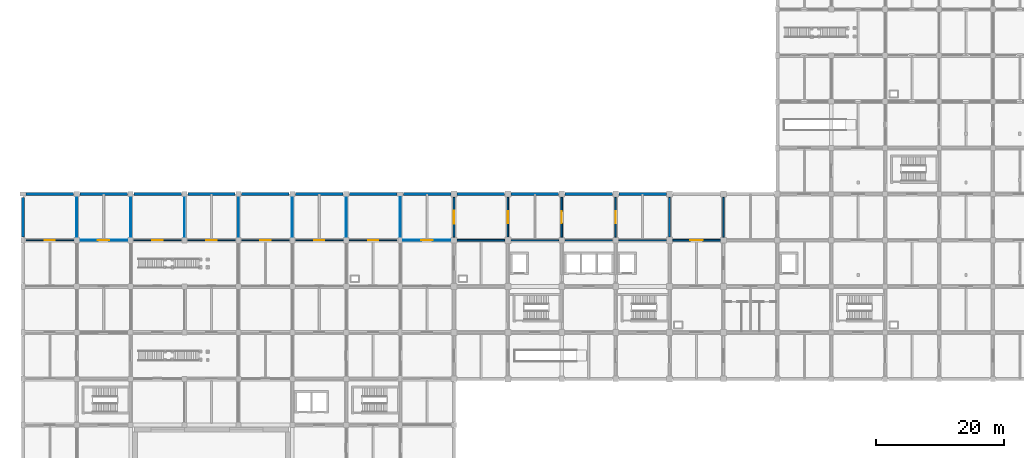
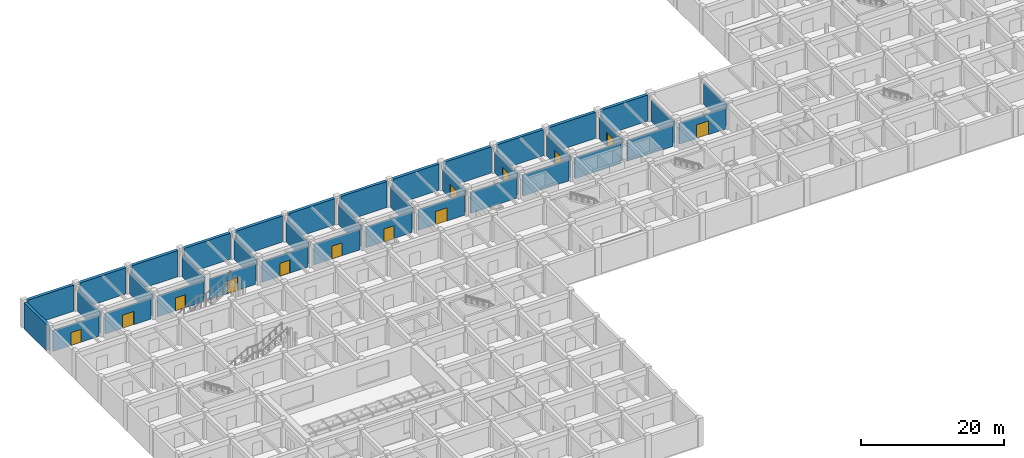
# One storey, part 24 of 32: 39 walls, 13 doors, 13 openings.
"""IFC4 building model written with IfcOpenShell, lengths in metres."""

from ifc_helpers import new_model, si_unit, derived_unit, direction, frame, frame_2d, origin, place, context, subcontext, project, spatial, rectangle, extrude, material, layer, layer_set, type_object, element, fill, save


model = new_model("IFC4")

# Units and contexts
model_context = context("Model", 3, precision=1e-05, world=origin(), true_north=direction((0.0, 1.0)))
body_context = subcontext(model_context, "Body", "Model", "MODEL_VIEW")
ifc_project = project(units=[si_unit("LENGTHUNIT", "METRE"), si_unit("AREAUNIT", "SQUARE_METRE"), si_unit("VOLUMEUNIT", "CUBIC_METRE"), si_unit("PLANEANGLEUNIT", "RADIAN"), si_unit("MASSUNIT", "GRAM", prefix="KILO"), derived_unit("THERMALTRANSMITTANCEUNIT", [(si_unit("MASSUNIT", "GRAM", prefix="KILO"), 1), (si_unit("TIMEUNIT", "SECOND"), -3), (si_unit("THERMODYNAMICTEMPERATUREUNIT", "KELVIN"), -1)])], contexts=[model_context])

# Site, building, storey
site_placement = place(None, origin())
site = spatial("IfcSite", under=ifc_project, at=site_placement, CompositionType="ELEMENT")
building_placement = place(site_placement, origin())
building = spatial("IfcBuilding", under=site, at=building_placement, Name="Veldstrom Oceanarium and Marine Research Institute", CompositionType="ELEMENT")
storey_placement = place(building_placement, frame((0.0, 0.0, -4.800048828125)))
storey = spatial("IfcBuildingStorey", under=building, at=storey_placement, Name="B01", CompositionType="ELEMENT", Elevation=-4.800048828125)

# Wall, opening, door
ifc_material_1 = material(Name="Masonry Fire Compartment Wall", Category="masonry")
ifc_layer_1 = layer(ifc_material_1, 0.22998046875)
ifc_layer_set_1 = layer_set([ifc_layer_1], Name="ARC-WAL-PT1")
wall_type_1 = type_object("IfcWallType", Name="ARC-WAL-PT1", PredefinedType="PARTITIONING", material=ifc_layer_set_1)
wall_1_placement = place(storey_placement, frame((75.60009765625, 65.300048828125, 0.0), z_axis=(0.0, 0.0, 1.0), x_axis=(0.0, 1.0, 0.0)))
wall_1 = element("IfcWall", 1, at=wall_1_placement, inside=storey, type_object=wall_type_1, Name="Interior Partition PT1 B01-0430", PredefinedType="PARTITIONING", context=body_context, shape_type="SweptSolid", body=[
    extrude(rectangle(XDim=6.199951171875, YDim=0.22998046875, at=frame_2d((3.10009765625, 0.0))), origin(), (0.0, 0.0, 1.0), 3.64501953125),
])
opening_1_placement = place(wall_1_placement, frame((2.14990234375, 0.0, 0.0)))
opening_1 = element("IfcOpeningElement", 2, at=opening_1_placement, cuts=wall_1, Name="Opening D-B01-250", PredefinedType="OPENING", context=body_context, shape_type="SweptSolid", body=[
    extrude(rectangle(XDim=1.89990234375, YDim=2.300048828125, at=frame_2d((0.949951171875, 1.14990234375))), frame((0.0, 0.125, 0.0), z_axis=(0.0, -1.0, 0.0), x_axis=(1.0, 0.0, 0.0)), (0.0, 0.0, 1.0), 0.25),
])
ifc_material_2 = material(Name="Plant Hall Equipment Door", Category="steel")
door_type_1 = type_object("IfcDoorType", Name="ARC-DOR-ID12", OperationType="DOUBLE_DOOR_SINGLE_SWING", PredefinedType="DOOR", material=ifc_material_2)
door_1_placement = place(opening_1_placement, frame((1.89990234375, 0.0, 0.0), z_axis=(0.0, 0.0, 1.0), x_axis=(-1.0, 0.0, 0.0)))
door_1 = element("IfcDoor", 3, at=door_1_placement, inside=storey, type_object=door_type_1, Name="Interior Door D-B01-250", OperationType="DOUBLE_DOOR_SINGLE_SWING", OverallHeight=2.300048828125, OverallWidth=1.89990234375, PredefinedType="DOOR", context=body_context, shape_type="SweptSolid", body=[
    extrude(rectangle(XDim=1.89990234375, YDim=2.300048828125, at=frame_2d((0.949951171875, 1.14990234375))), frame((0.0, 0.02490234375, 0.0), z_axis=(0.0, -1.0, 0.0), x_axis=(1.0, 0.0, 0.0)), (0.0, 0.0, 1.0), 0.050048828125),
])
fill(opening_1, door_1)

# Walls
for number, where, z_axis, x_axis, name in (
    (4, (76.10009765625, 64.800048828125, 0.0), (0.0, 0.0, 1.0), (1.0, 0.0, 0.0), "Interior Partition PT1 B01-0435"),
    (5, (84.5, 64.800048828125, 0.0), (0.0, 0.0, 1.0), (1.0, 0.0, 0.0), "Interior Partition PT1 B01-0442"),
):
    element("IfcWall", number, at=place(storey_placement, frame(where, z_axis=z_axis, x_axis=x_axis)), inside=storey, type_object=wall_type_1, Name=name, PredefinedType="PARTITIONING", context=body_context, shape_type="SweptSolid", body=[
        extrude(rectangle(XDim=7.39990234375, YDim=0.22998046875, at=frame_2d((3.699951171875, 0.0))), origin(), (0.0, 0.0, 1.0), 3.545166015625),
    ])

# Wall, opening, door
wall_2_placement = place(storey_placement, frame((92.39990234375, 65.300048828125, 0.0), z_axis=(0.0, 0.0, 1.0), x_axis=(0.0, 1.0, 0.0)))
wall_2 = element("IfcWall", 6, at=wall_2_placement, inside=storey, type_object=wall_type_1, Name="Interior Partition PT1 B01-0443", PredefinedType="PARTITIONING", context=body_context, shape_type="SweptSolid", body=[
    extrude(rectangle(XDim=6.199951171875, YDim=0.22998046875, at=frame_2d((3.10009765625, 0.0))), origin(), (0.0, 0.0, 1.0), 3.64501953125),
])
opening_2_placement = place(wall_2_placement, frame((2.14990234375, 0.0, 0.0)))
opening_2 = element("IfcOpeningElement", 7, at=opening_2_placement, cuts=wall_2, Name="Opening D-B01-260", PredefinedType="OPENING", context=body_context, shape_type="SweptSolid", body=[
    extrude(rectangle(XDim=1.89990234375, YDim=2.300048828125, at=frame_2d((0.949951171875, 1.14990234375))), frame((0.0, 0.125, 0.0), z_axis=(0.0, -1.0, 0.0), x_axis=(1.0, 0.0, 0.0)), (0.0, 0.0, 1.0), 0.25),
])
door_2_placement = place(opening_2_placement, frame((1.89990234375, 0.0, 0.0), z_axis=(0.0, 0.0, 1.0), x_axis=(-1.0, 0.0, 0.0)))
door_2 = element("IfcDoor", 8, at=door_2_placement, inside=storey, type_object=door_type_1, Name="Interior Door D-B01-260", OperationType="DOUBLE_DOOR_SINGLE_SWING", OverallHeight=2.300048828125, OverallWidth=1.89990234375, PredefinedType="DOOR", context=body_context, shape_type="SweptSolid", body=[
    extrude(rectangle(XDim=1.89990234375, YDim=2.300048828125, at=frame_2d((0.949951171875, 1.14990234375))), frame((0.0, 0.02490234375, 0.0), z_axis=(0.0, -1.0, 0.0), x_axis=(1.0, 0.0, 0.0)), (0.0, 0.0, 1.0), 0.050048828125),
])
fill(opening_2, door_2)

# Walls
wall_3_placement = place(storey_placement, frame((92.89990234375, 64.800048828125, 0.0), z_axis=(0.0, 0.0, 1.0), x_axis=(1.0, 0.0, 0.0)))
element("IfcWall", 9, at=wall_3_placement, inside=storey, type_object=wall_type_1, Name="Interior Partition PT1 B01-0449", PredefinedType="PARTITIONING", context=body_context, shape_type="SweptSolid", body=[
    extrude(rectangle(XDim=7.400146484375, YDim=0.22998046875, at=frame_2d((3.7001953125, 0.0))), origin(), (0.0, 0.0, 1.0), 3.545166015625),
])
wall_4_placement = place(storey_placement, frame((109.199951171875, 65.300048828125, 0.0), z_axis=(0.0, 0.0, 1.0), x_axis=(0.0, 1.0, 0.0)))
element("IfcWall", 10, at=wall_4_placement, inside=storey, type_object=wall_type_1, Name="Interior Partition PT1 B01-0457", PredefinedType="PARTITIONING", context=body_context, shape_type="SweptSolid", body=[
    extrude(rectangle(XDim=6.199951171875, YDim=0.22998046875, at=frame_2d((3.10009765625, 0.0))), origin(), (0.0, 0.0, 1.0), 3.64501953125),
])

# Wall, opening, door
ifc_material_3 = material(Name="Drywall Corridor Partition", Category="gypsum")
ifc_layer_2 = layer(ifc_material_3, 0.155029296875)
ifc_layer_set_2 = layer_set([ifc_layer_2], Name="ARC-WAL-PT4")
wall_type_2 = type_object("IfcWallType", Name="ARC-WAL-PT4", PredefinedType="PARTITIONING", material=ifc_layer_set_2)
wall_5_placement = place(storey_placement, frame((0.5, 64.800048828125, 0.0), z_axis=(0.0, 0.0, 1.0), x_axis=(1.0, 0.0, 0.0)))
wall_5 = element("IfcWall", 11, at=wall_5_placement, inside=storey, type_object=wall_type_2, Name="Interior Partition PT4 B01-0315", PredefinedType="PARTITIONING", context=body_context, shape_type="SweptSolid", body=[
    extrude(rectangle(XDim=7.39990234375, YDim=0.155029296875, at=frame_2d((3.699951171875, 0.0))), origin(), (0.0, 0.0, 1.0), 3.545166015625),
])
opening_3_placement = place(wall_5_placement, frame((2.89990234375, 0.0, 0.0)))
opening_3 = element("IfcOpeningElement", 12, at=opening_3_placement, cuts=wall_5, Name="Opening D-B01-185", PredefinedType="OPENING", context=body_context, shape_type="SweptSolid", body=[
    extrude(rectangle(XDim=1.60009765625, YDim=2.199951171875, at=frame_2d((0.800048828125, 1.10009765625))), frame((0.0, 0.08740234375, 0.0), z_axis=(0.0, -1.0, 0.0), x_axis=(1.0, 0.0, 0.0)), (0.0, 0.0, 1.0), 0.175048828125),
])
ifc_material_4 = material(Name="Acoustic Timber Corridor Door", Category="wood")
door_type_2 = type_object("IfcDoorType", Name="ARC-DOR-ID02", OperationType="DOUBLE_DOOR_SINGLE_SWING", PredefinedType="DOOR", material=ifc_material_4)
door_3_placement = place(opening_3_placement, frame((1.60009765625, 0.0, 0.0), z_axis=(0.0, 0.0, 1.0), x_axis=(-1.0, 0.0, 0.0)))
door_3 = element("IfcDoor", 13, at=door_3_placement, inside=storey, type_object=door_type_2, Name="Interior Door D-B01-185", OperationType="DOUBLE_DOOR_SINGLE_SWING", OverallHeight=2.199951171875, OverallWidth=1.60009765625, PredefinedType="DOOR", context=body_context, shape_type="SweptSolid", body=[
    extrude(rectangle(XDim=1.60009765625, YDim=2.199951171875, at=frame_2d((0.800048828125, 1.10009765625))), frame((0.0, 0.02490234375, 0.0), z_axis=(0.0, -1.0, 0.0), x_axis=(1.0, 0.0, 0.0)), (0.0, 0.0, 1.0), 0.050048828125),
])
fill(opening_3, door_3)

wall_6_placement = place(storey_placement, frame((17.300048828125, 64.800048828125, 0.0), z_axis=(0.0, 0.0, 1.0), x_axis=(1.0, 0.0, 0.0)))
wall_6 = element("IfcWall", 14, at=wall_6_placement, inside=storey, type_object=wall_type_2, Name="Interior Partition PT4 B01-0343", PredefinedType="PARTITIONING", context=body_context, shape_type="SweptSolid", body=[
    extrude(rectangle(XDim=7.39990234375, YDim=0.155029296875, at=frame_2d((3.699951171875, 0.0))), origin(), (0.0, 0.0, 1.0), 3.545166015625),
])
opening_4_placement = place(wall_6_placement, frame((2.89990234375, 0.0, 0.0)))
opening_4 = element("IfcOpeningElement", 15, at=opening_4_placement, cuts=wall_6, Name="Opening D-B01-201", PredefinedType="OPENING", context=body_context, shape_type="SweptSolid", body=[
    extrude(rectangle(XDim=1.60009765625, YDim=2.199951171875, at=frame_2d((0.800048828125, 1.10009765625))), frame((0.0, 0.08740234375, 0.0), z_axis=(0.0, -1.0, 0.0), x_axis=(1.0, 0.0, 0.0)), (0.0, 0.0, 1.0), 0.175048828125),
])
door_4_placement = place(opening_4_placement, frame((1.60009765625, 0.0, 0.0), z_axis=(0.0, 0.0, 1.0), x_axis=(-1.0, 0.0, 0.0)))
door_4 = element("IfcDoor", 16, at=door_4_placement, inside=storey, type_object=door_type_2, Name="Interior Door D-B01-201", OperationType="DOUBLE_DOOR_SINGLE_SWING", OverallHeight=2.199951171875, OverallWidth=1.60009765625, PredefinedType="DOOR", context=body_context, shape_type="SweptSolid", body=[
    extrude(rectangle(XDim=1.60009765625, YDim=2.199951171875, at=frame_2d((0.800048828125, 1.10009765625))), frame((0.0, 0.02490234375, 0.0), z_axis=(0.0, -1.0, 0.0), x_axis=(1.0, 0.0, 0.0)), (0.0, 0.0, 1.0), 0.050048828125),
])
fill(opening_4, door_4)

wall_7_placement = place(storey_placement, frame((34.10009765625, 64.800048828125, 0.0), z_axis=(0.0, 0.0, 1.0), x_axis=(1.0, 0.0, 0.0)))
wall_7 = element("IfcWall", 17, at=wall_7_placement, inside=storey, type_object=wall_type_2, Name="Interior Partition PT4 B01-0371", PredefinedType="PARTITIONING", context=body_context, shape_type="SweptSolid", body=[
    extrude(rectangle(XDim=7.39990234375, YDim=0.155029296875, at=frame_2d((3.699951171875, 0.0))), origin(), (0.0, 0.0, 1.0), 3.545166015625),
])
opening_5_placement = place(wall_7_placement, frame((2.89990234375, 0.0, 0.0)))
opening_5 = element("IfcOpeningElement", 18, at=opening_5_placement, cuts=wall_7, Name="Opening D-B01-215", PredefinedType="OPENING", context=body_context, shape_type="SweptSolid", body=[
    extrude(rectangle(XDim=1.60009765625, YDim=2.199951171875, at=frame_2d((0.800048828125, 1.10009765625))), frame((0.0, 0.08740234375, 0.0), z_axis=(0.0, -1.0, 0.0), x_axis=(1.0, 0.0, 0.0)), (0.0, 0.0, 1.0), 0.175048828125),
])
door_5_placement = place(opening_5_placement, frame((1.60009765625, 0.0, 0.0), z_axis=(0.0, 0.0, 1.0), x_axis=(-1.0, 0.0, 0.0)))
door_5 = element("IfcDoor", 19, at=door_5_placement, inside=storey, type_object=door_type_2, Name="Interior Door D-B01-215", OperationType="DOUBLE_DOOR_SINGLE_SWING", OverallHeight=2.199951171875, OverallWidth=1.60009765625, PredefinedType="DOOR", context=body_context, shape_type="SweptSolid", body=[
    extrude(rectangle(XDim=1.60009765625, YDim=2.199951171875, at=frame_2d((0.800048828125, 1.10009765625))), frame((0.0, 0.02490234375, 0.0), z_axis=(0.0, -1.0, 0.0), x_axis=(1.0, 0.0, 0.0)), (0.0, 0.0, 1.0), 0.050048828125),
])
fill(opening_5, door_5)

wall_8_placement = place(storey_placement, frame((50.89990234375, 64.800048828125, 0.0), z_axis=(0.0, 0.0, 1.0), x_axis=(1.0, 0.0, 0.0)))
wall_8 = element("IfcWall", 20, at=wall_8_placement, inside=storey, type_object=wall_type_2, Name="Interior Partition PT4 B01-0409", PredefinedType="PARTITIONING", context=body_context, shape_type="SweptSolid", body=[
    extrude(rectangle(XDim=7.400146484375, YDim=0.155029296875, at=frame_2d((3.7001953125, 0.0))), origin(), (0.0, 0.0, 1.0), 3.545166015625),
])
opening_6_placement = place(wall_8_placement, frame((2.89990234375, 0.0, 0.0)))
opening_6 = element("IfcOpeningElement", 21, at=opening_6_placement, cuts=wall_8, Name="Opening D-B01-235", PredefinedType="OPENING", context=body_context, shape_type="SweptSolid", body=[
    extrude(rectangle(XDim=1.60009765625, YDim=2.199951171875, at=frame_2d((0.800048828125, 1.10009765625))), frame((0.0, 0.08740234375, 0.0), z_axis=(0.0, -1.0, 0.0), x_axis=(1.0, 0.0, 0.0)), (0.0, 0.0, 1.0), 0.175048828125),
])
door_6_placement = place(opening_6_placement, frame((1.60009765625, 0.0, 0.0), z_axis=(0.0, 0.0, 1.0), x_axis=(-1.0, 0.0, 0.0)))
door_6 = element("IfcDoor", 22, at=door_6_placement, inside=storey, type_object=door_type_2, Name="Interior Door D-B01-235", OperationType="DOUBLE_DOOR_SINGLE_SWING", OverallHeight=2.199951171875, OverallWidth=1.60009765625, PredefinedType="DOOR", context=body_context, shape_type="SweptSolid", body=[
    extrude(rectangle(XDim=1.60009765625, YDim=2.199951171875, at=frame_2d((0.800048828125, 1.10009765625))), frame((0.0, 0.02490234375, 0.0), z_axis=(0.0, -1.0, 0.0), x_axis=(1.0, 0.0, 0.0)), (0.0, 0.0, 1.0), 0.050048828125),
])
fill(opening_6, door_6)

ifc_material_5 = material(Name="Moisture-Resistant Wet-Area Partition", Category="masonry")
ifc_layer_3 = layer(ifc_material_5, 0.139892578125)
ifc_layer_set_3 = layer_set([ifc_layer_3], Name="ARC-WAL-PT5")
wall_type_3 = type_object("IfcWallType", Name="ARC-WAL-PT5", PredefinedType="PARTITIONING", material=ifc_layer_set_3)
wall_9_placement = place(storey_placement, frame((8.89990234375, 64.800048828125, 0.0), z_axis=(0.0, 0.0, 1.0), x_axis=(1.0, 0.0, 0.0)))
wall_9 = element("IfcWall", 23, at=wall_9_placement, inside=storey, type_object=wall_type_3, Name="Interior Partition PT5 B01-0331", PredefinedType="PARTITIONING", context=body_context, shape_type="SweptSolid", body=[
    extrude(rectangle(XDim=7.400146484375, YDim=0.139892578125, at=frame_2d((3.7001953125, 0.0))), origin(), (0.0, 0.0, 1.0), 3.545166015625),
])
opening_7_placement = place(wall_9_placement, frame((2.800048828125, 0.0, 0.0)))
opening_7 = element("IfcOpeningElement", 24, at=opening_7_placement, cuts=wall_9, Name="Opening D-B01-194", PredefinedType="OPENING", context=body_context, shape_type="SweptSolid", body=[
    extrude(rectangle(XDim=1.800048828125, YDim=2.25, at=frame_2d((0.89990234375, 1.125))), frame((0.0, 0.079833984375, 0.0), z_axis=(0.0, -1.0, 0.0), x_axis=(1.0, 0.0, 0.0)), (0.0, 0.0, 1.0), 0.159912109375),
])
ifc_material_6 = material(Name="Acoustic Timber Gallery Door", Category="wood")
door_type_3 = type_object("IfcDoorType", Name="ARC-DOR-ID01", OperationType="DOUBLE_DOOR_SINGLE_SWING", PredefinedType="DOOR", material=ifc_material_6)
door_7_placement = place(opening_7_placement, origin())
door_7 = element("IfcDoor", 25, at=door_7_placement, inside=storey, type_object=door_type_3, Name="Interior Door D-B01-194", OperationType="DOUBLE_DOOR_SINGLE_SWING", OverallHeight=2.25, OverallWidth=1.800048828125, PredefinedType="DOOR", context=body_context, shape_type="SweptSolid", body=[
    extrude(rectangle(XDim=1.800048828125, YDim=2.25, at=frame_2d((0.89990234375, 1.125))), frame((0.0, 0.02490234375, 0.0), z_axis=(0.0, -1.0, 0.0), x_axis=(1.0, 0.0, 0.0)), (0.0, 0.0, 1.0), 0.050048828125),
])
fill(opening_7, door_7)

wall_10_placement = place(storey_placement, frame((25.699951171875, 64.800048828125, 0.0), z_axis=(0.0, 0.0, 1.0), x_axis=(1.0, 0.0, 0.0)))
wall_10 = element("IfcWall", 26, at=wall_10_placement, inside=storey, type_object=wall_type_3, Name="Interior Partition PT5 B01-0357", PredefinedType="PARTITIONING", context=body_context, shape_type="SweptSolid", body=[
    extrude(rectangle(XDim=7.400146484375, YDim=0.139892578125, at=frame_2d((3.7001953125, 0.0))), origin(), (0.0, 0.0, 1.0), 3.545166015625),
])
opening_8_placement = place(wall_10_placement, frame((2.89990234375, 0.0, 0.0)))
opening_8 = element("IfcOpeningElement", 27, at=opening_8_placement, cuts=wall_10, Name="Opening D-B01-209", PredefinedType="OPENING", context=body_context, shape_type="SweptSolid", body=[
    extrude(rectangle(XDim=1.60009765625, YDim=2.199951171875, at=frame_2d((0.800048828125, 1.10009765625))), frame((0.0, 0.079833984375, 0.0), z_axis=(0.0, -1.0, 0.0), x_axis=(1.0, 0.0, 0.0)), (0.0, 0.0, 1.0), 0.159912109375),
])
door_8_placement = place(opening_8_placement, origin())
door_8 = element("IfcDoor", 28, at=door_8_placement, inside=storey, type_object=door_type_2, Name="Interior Door D-B01-209", OperationType="DOUBLE_DOOR_SINGLE_SWING", OverallHeight=2.199951171875, OverallWidth=1.60009765625, PredefinedType="DOOR", context=body_context, shape_type="SweptSolid", body=[
    extrude(rectangle(XDim=1.60009765625, YDim=2.199951171875, at=frame_2d((0.800048828125, 1.10009765625))), frame((0.0, 0.02490234375, 0.0), z_axis=(0.0, -1.0, 0.0), x_axis=(1.0, 0.0, 0.0)), (0.0, 0.0, 1.0), 0.050048828125),
])
fill(opening_8, door_8)

wall_11_placement = place(storey_placement, frame((42.5, 64.800048828125, 0.0), z_axis=(0.0, 0.0, 1.0), x_axis=(1.0, 0.0, 0.0)))
wall_11 = element("IfcWall", 29, at=wall_11_placement, inside=storey, type_object=wall_type_3, Name="Interior Partition PT5 B01-0390", PredefinedType="PARTITIONING", context=body_context, shape_type="SweptSolid", body=[
    extrude(rectangle(XDim=7.39990234375, YDim=0.139892578125, at=frame_2d((3.699951171875, 0.0))), origin(), (0.0, 0.0, 1.0), 3.545166015625),
])
opening_9_placement = place(wall_11_placement, frame((2.89990234375, 0.0, 0.0)))
opening_9 = element("IfcOpeningElement", 30, at=opening_9_placement, cuts=wall_11, Name="Opening D-B01-225", PredefinedType="OPENING", context=body_context, shape_type="SweptSolid", body=[
    extrude(rectangle(XDim=1.60009765625, YDim=2.199951171875, at=frame_2d((0.800048828125, 1.10009765625))), frame((0.0, 0.079833984375, 0.0), z_axis=(0.0, -1.0, 0.0), x_axis=(1.0, 0.0, 0.0)), (0.0, 0.0, 1.0), 0.159912109375),
])
door_9_placement = place(opening_9_placement, origin())
door_9 = element("IfcDoor", 31, at=door_9_placement, inside=storey, type_object=door_type_2, Name="Interior Door D-B01-225", OperationType="DOUBLE_DOOR_SINGLE_SWING", OverallHeight=2.199951171875, OverallWidth=1.60009765625, PredefinedType="DOOR", context=body_context, shape_type="SweptSolid", body=[
    extrude(rectangle(XDim=1.60009765625, YDim=2.199951171875, at=frame_2d((0.800048828125, 1.10009765625))), frame((0.0, 0.02490234375, 0.0), z_axis=(0.0, -1.0, 0.0), x_axis=(1.0, 0.0, 0.0)), (0.0, 0.0, 1.0), 0.050048828125),
])
fill(opening_9, door_9)

wall_12_placement = place(storey_placement, frame((59.300048828125, 64.800048828125, 0.0), z_axis=(0.0, 0.0, 1.0), x_axis=(1.0, 0.0, 0.0)))
wall_12 = element("IfcWall", 32, at=wall_12_placement, inside=storey, type_object=wall_type_3, Name="Interior Partition PT5 B01-0422", PredefinedType="PARTITIONING", context=body_context, shape_type="SweptSolid", body=[
    extrude(rectangle(XDim=7.39990234375, YDim=0.139892578125, at=frame_2d((3.699951171875, 0.0))), origin(), (0.0, 0.0, 1.0), 3.545166015625),
])
opening_10_placement = place(wall_12_placement, frame((2.800048828125, 0.0, 0.0)))
opening_10 = element("IfcOpeningElement", 33, at=opening_10_placement, cuts=wall_12, Name="Opening D-B01-246", PredefinedType="OPENING", context=body_context, shape_type="SweptSolid", body=[
    extrude(rectangle(XDim=1.800048828125, YDim=2.25, at=frame_2d((0.89990234375, 1.125))), frame((0.0, 0.079833984375, 0.0), z_axis=(0.0, -1.0, 0.0), x_axis=(1.0, 0.0, 0.0)), (0.0, 0.0, 1.0), 0.159912109375),
])
door_10_placement = place(opening_10_placement, origin())
door_10 = element("IfcDoor", 34, at=door_10_placement, inside=storey, type_object=door_type_3, Name="Interior Door D-B01-246", OperationType="DOUBLE_DOOR_SINGLE_SWING", OverallHeight=2.25, OverallWidth=1.800048828125, PredefinedType="DOOR", context=body_context, shape_type="SweptSolid", body=[
    extrude(rectangle(XDim=1.800048828125, YDim=2.25, at=frame_2d((0.89990234375, 1.125))), frame((0.0, 0.02490234375, 0.0), z_axis=(0.0, -1.0, 0.0), x_axis=(1.0, 0.0, 0.0)), (0.0, 0.0, 1.0), 0.050048828125),
])
fill(opening_10, door_10)

# Walls
ifc_material_7 = material(Name="Lightweight Studio Partition", Category="gypsum")
ifc_layer_4 = layer(ifc_material_7, 0.1201171875)
ifc_layer_set_4 = layer_set([ifc_layer_4], Name="ARC-WAL-PT6")
wall_type_4 = type_object("IfcWallType", Name="ARC-WAL-PT6", PredefinedType="PARTITIONING", material=ifc_layer_set_4)
for number, where, z_axis, x_axis, name in (
    (35, (8.39990234375, 65.300048828125, 0.0), (0.0, 0.0, 1.0), (0.0, 1.0, 0.0), "Interior Partition PT6 B01-0316"),
    (36, (16.800048828125, 65.300048828125, 0.0), (0.0, 0.0, 1.0), (0.0, 1.0, 0.0), "Interior Partition PT6 B01-0332"),
    (37, (25.199951171875, 65.300048828125, 0.0), (0.0, 0.0, 1.0), (0.0, 1.0, 0.0), "Interior Partition PT6 B01-0344"),
    (38, (33.60009765625, 65.300048828125, 0.0), (0.0, 0.0, 1.0), (0.0, 1.0, 0.0), "Interior Partition PT6 B01-0358"),
    (39, (42.0, 65.300048828125, 0.0), (0.0, 0.0, 1.0), (0.0, 1.0, 0.0), "Interior Partition PT6 B01-0372"),
    (40, (50.39990234375, 65.300048828125, 0.0), (0.0, 0.0, 1.0), (0.0, 1.0, 0.0), "Interior Partition PT6 B01-0391"),
    (41, (58.800048828125, 65.300048828125, 0.0), (0.0, 0.0, 1.0), (0.0, 1.0, 0.0), "Interior Partition PT6 B01-0410"),
):
    element("IfcWall", number, at=place(storey_placement, frame(where, z_axis=z_axis, x_axis=x_axis)), inside=storey, type_object=wall_type_4, Name=name, PredefinedType="PARTITIONING", context=body_context, shape_type="SweptSolid", body=[
        extrude(rectangle(XDim=6.199951171875, YDim=0.1201171875, at=frame_2d((3.10009765625, 0.0))), origin(), (0.0, 0.0, 1.0), 3.64501953125),
    ])

# Wall, opening, door
ifc_material_8 = material(Name="Plant Acoustic Masonry Wall", Category="masonry")
ifc_layer_5 = layer(ifc_material_8, 0.260009765625)
ifc_layer_set_5 = layer_set([ifc_layer_5], Name="ARC-WAL-PT8")
wall_type_5 = type_object("IfcWallType", Name="ARC-WAL-PT8", PredefinedType="PARTITIONING", material=ifc_layer_set_5)
wall_13_placement = place(storey_placement, frame((67.199951171875, 65.300048828125, 0.0), z_axis=(0.0, 0.0, 1.0), x_axis=(0.0, 1.0, 0.0)))
wall_13 = element("IfcWall", 42, at=wall_13_placement, inside=storey, type_object=wall_type_5, Name="Interior Partition PT8 B01-0423", PredefinedType="PARTITIONING", context=body_context, shape_type="SweptSolid", body=[
    extrude(rectangle(XDim=6.199951171875, YDim=0.260009765625, at=frame_2d((3.10009765625, 0.0))), origin(), (0.0, 0.0, 1.0), 3.64501953125),
])
opening_11_placement = place(wall_13_placement, frame((2.10009765625, 0.0, 0.0)))
opening_11 = element("IfcOpeningElement", 43, at=opening_11_placement, cuts=wall_13, Name="Opening D-B01-247", PredefinedType="OPENING", context=body_context, shape_type="SweptSolid", body=[
    extrude(rectangle(XDim=2.0, YDim=2.35009765625, at=frame_2d((1.0, 1.175048828125))), frame((0.0, 0.139892578125, 0.0), z_axis=(0.0, -1.0, 0.0), x_axis=(1.0, 0.0, 0.0)), (0.0, 0.0, 1.0), 0.280029296875),
])
ifc_material_9 = material(Name="Filtration Hall Double Door", Category="steel")
door_type_4 = type_object("IfcDoorType", Name="ARC-DOR-ID18", OperationType="DOUBLE_DOOR_SINGLE_SWING", PredefinedType="DOOR", material=ifc_material_9)
door_11_placement = place(opening_11_placement, frame((2.0, 0.0, 0.0), z_axis=(0.0, 0.0, 1.0), x_axis=(-1.0, 0.0, 0.0)))
door_11 = element("IfcDoor", 44, at=door_11_placement, inside=storey, type_object=door_type_4, Name="Interior Door D-B01-247", OperationType="DOUBLE_DOOR_SINGLE_SWING", OverallHeight=2.35009765625, OverallWidth=2.0, PredefinedType="DOOR", context=body_context, shape_type="SweptSolid", body=[
    extrude(rectangle(XDim=2.0, YDim=2.35009765625, at=frame_2d((1.0, 1.175048828125))), frame((0.0, 0.02490234375, 0.0), z_axis=(0.0, -1.0, 0.0), x_axis=(1.0, 0.0, 0.0)), (0.0, 0.0, 1.0), 0.050048828125),
])
fill(opening_11, door_11)

# Wall
wall_14_placement = place(storey_placement, frame((67.699951171875, 64.800048828125, 0.0), z_axis=(0.0, 0.0, 1.0), x_axis=(1.0, 0.0, 0.0)))
element("IfcWall", 45, at=wall_14_placement, inside=storey, type_object=wall_type_5, Name="Interior Partition PT8 B01-0429", PredefinedType="PARTITIONING", context=body_context, shape_type="SweptSolid", body=[
    extrude(rectangle(XDim=7.400146484375, YDim=0.260009765625, at=frame_2d((3.7001953125, 0.0))), origin(), (0.0, 0.0, 1.0), 3.545166015625),
])

# Wall, opening, door
wall_15_placement = place(storey_placement, frame((84.0, 65.300048828125, 0.0), z_axis=(0.0, 0.0, 1.0), x_axis=(0.0, 1.0, 0.0)))
wall_15 = element("IfcWall", 46, at=wall_15_placement, inside=storey, type_object=wall_type_5, Name="Interior Partition PT8 B01-0436", PredefinedType="PARTITIONING", context=body_context, shape_type="SweptSolid", body=[
    extrude(rectangle(XDim=6.199951171875, YDim=0.260009765625, at=frame_2d((3.10009765625, 0.0))), origin(), (0.0, 0.0, 1.0), 3.64501953125),
])
opening_12_placement = place(wall_15_placement, frame((2.14990234375, 0.0, 0.0)))
opening_12 = element("IfcOpeningElement", 47, at=opening_12_placement, cuts=wall_15, Name="Opening D-B01-254", PredefinedType="OPENING", context=body_context, shape_type="SweptSolid", body=[
    extrude(rectangle(XDim=1.89990234375, YDim=2.300048828125, at=frame_2d((0.949951171875, 1.14990234375))), frame((0.0, 0.139892578125, 0.0), z_axis=(0.0, -1.0, 0.0), x_axis=(1.0, 0.0, 0.0)), (0.0, 0.0, 1.0), 0.280029296875),
])
door_12_placement = place(opening_12_placement, origin())
door_12 = element("IfcDoor", 48, at=door_12_placement, inside=storey, type_object=door_type_1, Name="Interior Door D-B01-254", OperationType="DOUBLE_DOOR_SINGLE_SWING", OverallHeight=2.300048828125, OverallWidth=1.89990234375, PredefinedType="DOOR", context=body_context, shape_type="SweptSolid", body=[
    extrude(rectangle(XDim=1.89990234375, YDim=2.300048828125, at=frame_2d((0.949951171875, 1.14990234375))), frame((0.0, 0.02490234375, 0.0), z_axis=(0.0, -1.0, 0.0), x_axis=(1.0, 0.0, 0.0)), (0.0, 0.0, 1.0), 0.050048828125),
])
fill(opening_12, door_12)

# Wall
wall_16_placement = place(storey_placement, frame((100.800048828125, 65.300048828125, 0.0), z_axis=(0.0, 0.0, 1.0), x_axis=(0.0, 1.0, 0.0)))
element("IfcWall", 49, at=wall_16_placement, inside=storey, type_object=wall_type_5, Name="Interior Partition PT8 B01-0450", PredefinedType="PARTITIONING", context=body_context, shape_type="SweptSolid", body=[
    extrude(rectangle(XDim=6.199951171875, YDim=0.260009765625, at=frame_2d((3.10009765625, 0.0))), origin(), (0.0, 0.0, 1.0), 3.64501953125),
])

# Wall, opening, door
wall_17_placement = place(storey_placement, frame((101.300048828125, 64.800048828125, 0.0), z_axis=(0.0, 0.0, 1.0), x_axis=(1.0, 0.0, 0.0)))
wall_17 = element("IfcWall", 50, at=wall_17_placement, inside=storey, type_object=wall_type_5, Name="Interior Partition PT8 B01-0456", PredefinedType="PARTITIONING", context=body_context, shape_type="SweptSolid", body=[
    extrude(rectangle(XDim=7.39990234375, YDim=0.260009765625, at=frame_2d((3.699951171875, 0.0))), origin(), (0.0, 0.0, 1.0), 3.545166015625),
])
opening_13_placement = place(wall_17_placement, frame((2.699951171875, 0.0, 0.0)))
opening_13 = element("IfcOpeningElement", 51, at=opening_13_placement, cuts=wall_17, Name="Opening D-B01-267", PredefinedType="OPENING", context=body_context, shape_type="SweptSolid", body=[
    extrude(rectangle(XDim=2.0, YDim=2.35009765625, at=frame_2d((1.0, 1.175048828125))), frame((0.0, 0.139892578125, 0.0), z_axis=(0.0, -1.0, 0.0), x_axis=(1.0, 0.0, 0.0)), (0.0, 0.0, 1.0), 0.280029296875),
])
door_13_placement = place(opening_13_placement, frame((2.0, 0.0, 0.0), z_axis=(0.0, 0.0, 1.0), x_axis=(-1.0, 0.0, 0.0)))
door_13 = element("IfcDoor", 52, at=door_13_placement, inside=storey, type_object=door_type_4, Name="Interior Door D-B01-267", OperationType="DOUBLE_DOOR_SINGLE_SWING", OverallHeight=2.35009765625, OverallWidth=2.0, PredefinedType="DOOR", context=body_context, shape_type="SweptSolid", body=[
    extrude(rectangle(XDim=2.0, YDim=2.35009765625, at=frame_2d((1.0, 1.175048828125))), frame((0.0, 0.02490234375, 0.0), z_axis=(0.0, -1.0, 0.0), x_axis=(1.0, 0.0, 0.0)), (0.0, 0.0, 1.0), 0.050048828125),
])
fill(opening_13, door_13)

# Walls
ifc_material_10 = material(Name="Concrete C40/50", Category="concrete")
ifc_layer_6 = layer(ifc_material_10, 0.47998046875)
ifc_layer_set_6 = layer_set([ifc_layer_6], Name="STR-WAL-WR2")
wall_type_6 = type_object("IfcWallType", Name="STR-WAL-WR2", PredefinedType="USERDEFINED", material=ifc_layer_set_6)
wall_18_placement = place(storey_placement, frame((0.5, 72.0, 0.0), z_axis=(0.0, 0.0, 1.0), x_axis=(1.0, 0.0, 0.0)))
element("IfcWall", 53, at=wall_18_placement, inside=storey, type_object=wall_type_6, Name="Basement Retaining Wall WR2-B01-011", ObjectType="Retaining wall", PredefinedType="USERDEFINED", context=body_context, shape_type="SweptSolid", body=[
    extrude(rectangle(XDim=7.39990234375, YDim=0.47998046875, at=frame_2d((3.699951171875, 0.0))), origin(), (0.0, 0.0, 1.0), 4.449951171875),
])
wall_19_placement = place(storey_placement, frame((0.0, 65.300048828125, 0.0), z_axis=(0.0, 0.0, 1.0), x_axis=(0.0, 1.0, 0.0)))
element("IfcWall", 54, at=wall_19_placement, inside=storey, type_object=wall_type_6, Name="Basement Retaining Wall WR2-B01-012", ObjectType="Retaining wall", PredefinedType="USERDEFINED", context=body_context, shape_type="SweptSolid", body=[
    extrude(rectangle(XDim=6.199951171875, YDim=0.47998046875, at=frame_2d((3.10009765625, 0.0))), origin(), (0.0, 0.0, 1.0), 4.449951171875),
])
wall_20_placement = place(storey_placement, frame((8.89990234375, 72.0, 0.0), z_axis=(0.0, 0.0, 1.0), x_axis=(1.0, 0.0, 0.0)))
element("IfcWall", 55, at=wall_20_placement, inside=storey, type_object=wall_type_6, Name="Basement Retaining Wall WR2-B01-014", ObjectType="Retaining wall", PredefinedType="USERDEFINED", context=body_context, shape_type="SweptSolid", body=[
    extrude(rectangle(XDim=7.400146484375, YDim=0.47998046875, at=frame_2d((3.7001953125, 0.0))), origin(), (0.0, 0.0, 1.0), 4.449951171875),
])
wall_21_placement = place(storey_placement, frame((17.300048828125, 72.0, 0.0), z_axis=(0.0, 0.0, 1.0), x_axis=(1.0, 0.0, 0.0)))
element("IfcWall", 56, at=wall_21_placement, inside=storey, type_object=wall_type_6, Name="Basement Retaining Wall WR2-B01-016", ObjectType="Retaining wall", PredefinedType="USERDEFINED", context=body_context, shape_type="SweptSolid", body=[
    extrude(rectangle(XDim=7.39990234375, YDim=0.47998046875, at=frame_2d((3.699951171875, 0.0))), origin(), (0.0, 0.0, 1.0), 4.449951171875),
])
wall_22_placement = place(storey_placement, frame((25.699951171875, 72.0, 0.0), z_axis=(0.0, 0.0, 1.0), x_axis=(1.0, 0.0, 0.0)))
element("IfcWall", 57, at=wall_22_placement, inside=storey, type_object=wall_type_6, Name="Basement Retaining Wall WR2-B01-018", ObjectType="Retaining wall", PredefinedType="USERDEFINED", context=body_context, shape_type="SweptSolid", body=[
    extrude(rectangle(XDim=7.400146484375, YDim=0.47998046875, at=frame_2d((3.7001953125, 0.0))), origin(), (0.0, 0.0, 1.0), 4.449951171875),
])
for number, where, z_axis, x_axis, name in (
    (58, (34.10009765625, 72.0, 0.0), (0.0, 0.0, 1.0), (1.0, 0.0, 0.0), "Basement Retaining Wall WR2-B01-020"),
    (59, (42.5, 72.0, 0.0), (0.0, 0.0, 1.0), (1.0, 0.0, 0.0), "Basement Retaining Wall WR2-B01-022"),
):
    element("IfcWall", number, at=place(storey_placement, frame(where, z_axis=z_axis, x_axis=x_axis)), inside=storey, type_object=wall_type_6, Name=name, ObjectType="Retaining wall", PredefinedType="USERDEFINED", context=body_context, shape_type="SweptSolid", body=[
        extrude(rectangle(XDim=7.39990234375, YDim=0.47998046875, at=frame_2d((3.699951171875, 0.0))), origin(), (0.0, 0.0, 1.0), 4.449951171875),
    ])
wall_23_placement = place(storey_placement, frame((50.89990234375, 72.0, 0.0), z_axis=(0.0, 0.0, 1.0), x_axis=(1.0, 0.0, 0.0)))
element("IfcWall", 60, at=wall_23_placement, inside=storey, type_object=wall_type_6, Name="Basement Retaining Wall WR2-B01-024", ObjectType="Retaining wall", PredefinedType="USERDEFINED", context=body_context, shape_type="SweptSolid", body=[
    extrude(rectangle(XDim=7.400146484375, YDim=0.47998046875, at=frame_2d((3.7001953125, 0.0))), origin(), (0.0, 0.0, 1.0), 4.449951171875),
])
wall_24_placement = place(storey_placement, frame((59.300048828125, 72.0, 0.0), z_axis=(0.0, 0.0, 1.0), x_axis=(1.0, 0.0, 0.0)))
element("IfcWall", 61, at=wall_24_placement, inside=storey, type_object=wall_type_6, Name="Basement Retaining Wall WR2-B01-032", ObjectType="Retaining wall", PredefinedType="USERDEFINED", context=body_context, shape_type="SweptSolid", body=[
    extrude(rectangle(XDim=7.39990234375, YDim=0.47998046875, at=frame_2d((3.699951171875, 0.0))), origin(), (0.0, 0.0, 1.0), 4.449951171875),
])
wall_25_placement = place(storey_placement, frame((67.699951171875, 72.0, 0.0), z_axis=(0.0, 0.0, 1.0), x_axis=(1.0, 0.0, 0.0)))
element("IfcWall", 62, at=wall_25_placement, inside=storey, type_object=wall_type_6, Name="Basement Retaining Wall WR2-B01-034", ObjectType="Retaining wall", PredefinedType="USERDEFINED", context=body_context, shape_type="SweptSolid", body=[
    extrude(rectangle(XDim=7.400146484375, YDim=0.47998046875, at=frame_2d((3.7001953125, 0.0))), origin(), (0.0, 0.0, 1.0), 4.449951171875),
])
for number, where, z_axis, x_axis, name in (
    (63, (76.10009765625, 72.0, 0.0), (0.0, 0.0, 1.0), (1.0, 0.0, 0.0), "Basement Retaining Wall WR2-B01-036"),
    (64, (84.5, 72.0, 0.0), (0.0, 0.0, 1.0), (1.0, 0.0, 0.0), "Basement Retaining Wall WR2-B01-038"),
):
    element("IfcWall", number, at=place(storey_placement, frame(where, z_axis=z_axis, x_axis=x_axis)), inside=storey, type_object=wall_type_6, Name=name, ObjectType="Retaining wall", PredefinedType="USERDEFINED", context=body_context, shape_type="SweptSolid", body=[
        extrude(rectangle(XDim=7.39990234375, YDim=0.47998046875, at=frame_2d((3.699951171875, 0.0))), origin(), (0.0, 0.0, 1.0), 4.449951171875),
    ])
wall_26_placement = place(storey_placement, frame((92.89990234375, 72.0, 0.0), z_axis=(0.0, 0.0, 1.0), x_axis=(1.0, 0.0, 0.0)))
element("IfcWall", 65, at=wall_26_placement, inside=storey, type_object=wall_type_6, Name="Basement Retaining Wall WR2-B01-040", ObjectType="Retaining wall", PredefinedType="USERDEFINED", context=body_context, shape_type="SweptSolid", body=[
    extrude(rectangle(XDim=7.400146484375, YDim=0.47998046875, at=frame_2d((3.7001953125, 0.0))), origin(), (0.0, 0.0, 1.0), 4.449951171875),
])

save(model, "model.ifc")
